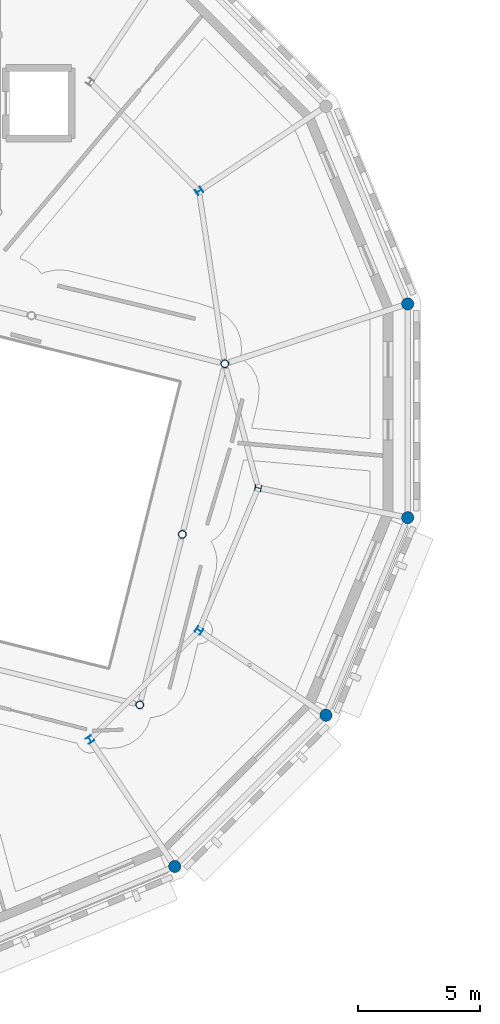
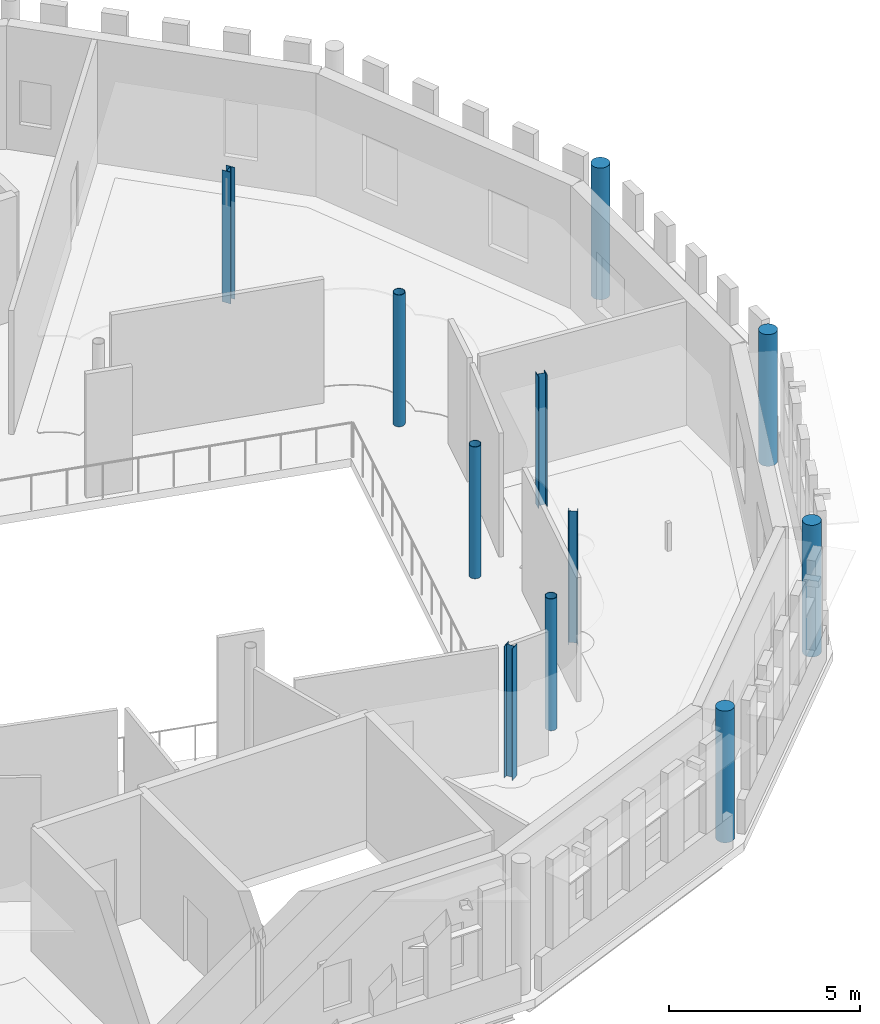
# One storey, part 12 of 68: 11 columns.
"""IFC4 building model written with IfcOpenShell, lengths in metres."""

import ifcopenshell
import ifcopenshell.guid

model = None  # the IFC model being written
_history = None  # IfcOwnerHistory: only IFC2X3 demands one
_inside = {}  # id of a spatial element -> (the spatial element, [elements in it])
_under = {}  # id of a project, library or spatial element -> (it, [spatial elements below it])
_declared = {}  # id of a project -> (the project, [libraries it declares])
_typed = {}  # id of a type object -> (the type object, [elements of that type])
_made_of = {}  # id of a material, layer set ... -> (it, [elements and type objects made of it])


def new_model(schema):
    """Start an empty IFC model of exactly this schema.

    Asked for "IFC4X3", IfcOpenShell would pick the latest addendum, in which some entities
    have other attributes; the version numbers below select the first issue.
    IFC2X3 requires an IfcOwnerHistory on every rooted entity: one is made here for all.
    """
    global model, _history
    if schema == "IFC4X3":
        model = ifcopenshell.file(schema_version=(4, 3, 0, 0))
    else:
        model = ifcopenshell.file(schema=schema)
    _inside.clear()
    _under.clear()
    _declared.clear()
    _typed.clear()
    _made_of.clear()
    _history = None
    if model.schema == "IFC2X3":
        org = make("IfcOrganization", Name="unknown")
        user = make(
            "IfcPersonAndOrganization",
            ThePerson=make("IfcPerson", FamilyName="unknown"),
            TheOrganization=org,
        )
        app = make(
            "IfcApplication",
            ApplicationDeveloper=org,
            Version="unknown",
            ApplicationFullName="unknown",
            ApplicationIdentifier="unknown",
        )
        _history = make(
            "IfcOwnerHistory",
            OwningUser=user,
            OwningApplication=app,
            ChangeAction="ADDED",
            CreationDate=0,
        )
    return model


def make(cls, **values):
    """One entity of the class cls with the attributes given. An attribute that is None is left unset."""
    return model.create_entity(
        cls, **{name: value for name, value in values.items() if value is not None}
    )


def rooted(cls, **values):
    """An entity with a GlobalId (a new one), such as an element, a storey or a relation."""
    return make(cls, GlobalId=ifcopenshell.guid.new(), OwnerHistory=_history, **values)


def si_unit(unit_type, name, prefix=None):
    """IfcSIUnit, for example si_unit("LENGTHUNIT", "METRE", prefix="MILLI")."""
    return make("IfcSIUnit", UnitType=unit_type, Prefix=prefix, Name=name)


def assignment(units):
    """IfcUnitAssignment: the units of a project."""
    return None if units is None else make("IfcUnitAssignment", Units=units)


def point(xyz):
    """IfcCartesianPoint."""
    return None if xyz is None else make("IfcCartesianPoint", Coordinates=xyz)


def direction(xyz):
    """IfcDirection."""
    return None if xyz is None else make("IfcDirection", DirectionRatios=xyz)


def frame(location, z_axis=None, x_axis=None):
    """IfcAxis2Placement3D, a coordinate frame: its origin and axes. An axis left out is left unset."""
    return make(
        "IfcAxis2Placement3D",
        Location=point(location),
        Axis=direction(z_axis),
        RefDirection=direction(x_axis),
    )


def frame_2d(location, x_axis=None):
    """IfcAxis2Placement2D, a coordinate frame in the plane: its origin and x axis."""
    return make(
        "IfcAxis2Placement2D", Location=point(location), RefDirection=direction(x_axis)
    )


def origin():
    """The frame at (0, 0, 0) with its axes left unset."""
    return frame((0.0, 0.0, 0.0))


def origin_2d():
    """The frame at (0, 0) in the plane with its x axis left unset."""
    return frame_2d((0.0, 0.0))


def place(relative_to, where):
    """IfcLocalPlacement: puts the frame where relative to a parent placement (None: the world)."""
    return make(
        "IfcLocalPlacement", PlacementRelTo=relative_to, RelativePlacement=where
    )


def context(
    kind, dimensions, precision=None, world=None, true_north=None, identifier=None
):
    """IfcGeometricRepresentationContext, for example the 3D "Model" context."""
    return make(
        "IfcGeometricRepresentationContext",
        ContextIdentifier=identifier,
        ContextType=kind,
        CoordinateSpaceDimension=dimensions,
        Precision=precision,
        WorldCoordinateSystem=world,
        TrueNorth=true_north,
    )


def subcontext(parent, identifier, kind, view, scale=None):
    """IfcGeometricRepresentationSubContext, for example "Body" below "Model"."""
    return make(
        "IfcGeometricRepresentationSubContext",
        ContextIdentifier=identifier,
        ContextType=kind,
        ParentContext=parent,
        TargetScale=scale,
        TargetView=view,
    )


def project(units=None, contexts=None):
    """IfcProject with its units and contexts."""
    return rooted(
        "IfcProject",
        Name="project",
        RepresentationContexts=contexts,
        UnitsInContext=assignment(units),
    )


def spatial(cls, under=None, at=None, **own):
    """A site, building, storey or space (cls), placed at a placement, below another one or the project."""
    s = rooted(cls, ObjectPlacement=at, **own)
    if under is not None:
        _under.setdefault(under.id(), (under, []))[1].append(s)
    return s


def profile(cls, at=None, kind="AREA", **sizes):
    """A parametric profile (cls). Its sizes go by their IFC names, for example OverallWidth=200.0."""
    return make(cls, ProfileType=kind, Position=at, **sizes)


def circle(**sizes):
    """IfcCircleProfileDef."""
    return profile("IfcCircleProfileDef", **sizes)


def hollow_circle(**sizes):
    """IfcCircleHollowProfileDef."""
    return profile("IfcCircleHollowProfileDef", **sizes)


def i_section(**sizes):
    """IfcIShapeProfileDef."""
    return profile("IfcIShapeProfileDef", **sizes)


def extrude(swept, where, along, depth):
    """IfcExtrudedAreaSolid: the profile swept, set in the frame where, extruded along a direction by depth."""
    return make(
        "IfcExtrudedAreaSolid",
        SweptArea=swept,
        Position=where,
        ExtrudedDirection=direction(along),
        Depth=depth,
    )


def shape(context_of_items, identifier, shape_type, items):
    """IfcShapeRepresentation: the items that make up one representation, for example the "Body"."""
    return make(
        "IfcShapeRepresentation",
        ContextOfItems=context_of_items,
        RepresentationIdentifier=identifier,
        RepresentationType=shape_type,
        Items=items,
    )


def material(Name=None, Category=None):
    """IfcMaterial."""
    return make("IfcMaterial", Name=Name, Category=Category)


def material_profile(
    of_material, cross_section, Name=None, Category=None, Priority=None
):
    """IfcMaterialProfile: a cross section and its material."""
    return make(
        "IfcMaterialProfile",
        Name=Name,
        Material=of_material,
        Profile=cross_section,
        Priority=Priority,
        Category=Category,
    )


def profile_set(profiles, Name=None, composite=None):
    """IfcMaterialProfileSet."""
    return make(
        "IfcMaterialProfileSet",
        Name=Name,
        MaterialProfiles=profiles,
        CompositeProfile=composite,
    )


def made_of(thing, what):
    """Note that an element or type object is made of a material, layer set ...; save() writes the relation."""
    if what is not None:
        _made_of.setdefault(what.id(), (what, []))[1].append(thing)
    return thing


def type_object(cls, material=None, **own):
    """A type object (cls), such as IfcWallType, which elements share."""
    return made_of(rooted(cls, **own), material)


def element(
    cls,
    number,
    at=None,
    inside=None,
    cuts=None,
    type_object=None,
    material=None,
    context=None,
    identifier="Body",
    shape_type=None,
    held_by="IfcProductDefinitionShape",
    body=None,
    shapes=None,
    **own,
):
    """One element of the class cls, such as IfcWall. Its Tag is "e" and its number.

    at: its placement. inside: the storey or other place that contains it. cuts: it is an
    opening in that element (IfcRelVoidsElement). A single representation is given by context,
    identifier, shape_type and body (its items); several are given by shapes. held_by: the class
    of the entity that holds the representations. save() writes the other relations.
    """
    e = rooted(cls, Tag="e%d" % number, ObjectPlacement=at, **own)
    if body is not None:
        shapes = [shape(context, identifier, shape_type, body)]
    if shapes is not None:
        e.Representation = make(held_by, Representations=shapes)
    if inside is not None:
        _inside.setdefault(inside.id(), (inside, []))[1].append(e)
    if cuts is not None:
        rooted(
            "IfcRelVoidsElement", RelatingBuildingElement=cuts, RelatedOpeningElement=e
        )
    if type_object is not None:
        _typed.setdefault(type_object.id(), (type_object, []))[1].append(e)
    return made_of(e, material)


def aggregate(whole, parts):
    """IfcRelAggregates: a whole, such as a stair, and the parts it consists of."""
    return rooted("IfcRelAggregates", RelatingObject=whole, RelatedObjects=parts)


def save(model, path):
    """Write the relations noted so far, then the file.

    IfcRelAggregates (storeys below a building ...), IfcRelContainedInSpatialStructure (elements
    in a storey), IfcRelDefinesByType, IfcRelAssociatesMaterial and IfcRelDeclares: one each for
    every whole, place, type object, material and project.
    """
    for whole, parts in _under.values():
        aggregate(whole, parts)
    for where, things in _inside.values():
        rooted(
            "IfcRelContainedInSpatialStructure",
            RelatedElements=things,
            RelatingStructure=where,
        )
    for kind, things in _typed.values():
        rooted("IfcRelDefinesByType", RelatedObjects=things, RelatingType=kind)
    for what, things in _made_of.values():
        rooted("IfcRelAssociatesMaterial", RelatedObjects=things, RelatingMaterial=what)
    for by, libraries in _declared.values():
        rooted("IfcRelDeclares", RelatingContext=by, RelatedDefinitions=libraries)
    model.write(path)


model = new_model("IFC4")

# Units and contexts
model_context = context("Model", 3, precision=1e-05, world=origin(), true_north=direction((0.0, 1.0)))
body_context = subcontext(model_context, "Body", "Model", "MODEL_VIEW")
ifc_project = project(units=[si_unit("LENGTHUNIT", "METRE"), si_unit("AREAUNIT", "SQUARE_METRE"), si_unit("VOLUMEUNIT", "CUBIC_METRE"), si_unit("PLANEANGLEUNIT", "RADIAN"), si_unit("MASSUNIT", "GRAM", prefix="KILO")], contexts=[model_context])

# Site, building, storey
site_placement = place(None, origin())
site = spatial("IfcSite", under=ifc_project, at=site_placement, CompositionType="ELEMENT")
building_placement = place(site_placement, origin())
building = spatial("IfcBuilding", under=site, at=building_placement, Name="Wrenclough Park School", CompositionType="ELEMENT")
storey_placement = place(building_placement, frame((0.0, 0.0, 12.60009765625)))
storey = spatial("IfcBuildingStorey", under=building, at=storey_placement, Name="L03", CompositionType="ELEMENT", Elevation=12.60009765625)

# Columns
ifc_material_1 = material(Name="Structural steel S355", Category="steel")
ifc_material_profile_1 = material_profile(ifc_material_1, hollow_circle(Radius=0.161865234375, WallThickness=0.01611328125, at=origin_2d()), Name="CHS 323.9x16.0")
ifc_profile_set_1 = profile_set([ifc_material_profile_1], Name="Structural steel S355")
column_type_1 = type_object("IfcColumnType", Name="STR-COL-CHS324", PredefinedType="COLUMN", material=ifc_profile_set_1)
for number, where, z_axis, x_axis, name in (
    (1, (166.544189453125, 14.4501953125, 0.0), (0.0, 0.0, 1.0), (0.970295726276, -0.2419218956, 0.0), "D1 L03 column D1HR-3-0"),
    (2, (168.2861328125, 21.4365234375, 0.0), (0.0, 0.0, 1.0), (0.970295726276, -0.2419218956, 0.0), "D1 L03 column D1HR-3-1"),
    (3, (170.028076171875, 28.422607421875, 0.0), (0.0, 0.0, 1.0), (0.970295726276, -0.2419218956, 0.0), "D1 L03 column D1HR-3-2"),
):
    element("IfcColumn", number, at=place(storey_placement, frame(where, z_axis=z_axis, x_axis=x_axis)), inside=storey, type_object=column_type_1, Name=name, PredefinedType="COLUMN", context=body_context, shape_type="SweptSolid", body=[
        extrude(hollow_circle(Radius=0.161865234375, WallThickness=0.01611328125, at=origin_2d()), origin(), (0.0, 0.0, 1.0), 4.199951171875),
    ])
ifc_material_2 = material(Name="Concrete C40/50", Category="concrete")
ifc_material_profile_2 = material_profile(ifc_material_2, circle(Radius=0.25, at=origin_2d()), Name="RC COL D500")
ifc_profile_set_2 = profile_set([ifc_material_profile_2], Name="Concrete C40/50")
column_type_2 = type_object("IfcColumnType", Name="STR-COL-RCD500", PredefinedType="COLUMN", material=ifc_profile_set_2)
for number, where, z_axis, x_axis, name in (
    (4, (177.5185546875, 30.8798828125, 0.0), (0.0, 0.0, 1.0), (-0.195090322016, 0.980785280403, 0.0), "D1 L03 column D1-OUT-01"),
    (5, (167.97265625, 7.83349609375, 0.0), (0.0, 0.0, 1.0), (0.831469612303, 0.55557023302, 0.0), "D1 L03 column D1-OUT-14"),
    (6, (174.16650390625, 14.02734375, 0.0), (0.0, 0.0, 1.0), (0.55557023302, 0.831469612303, 0.0), "D1 L03 column D1-OUT-15"),
    (7, (177.5185546875, 22.1201171875, 0.0), (0.0, 0.0, 1.0), (0.195090322016, 0.980785280403, 0.0), "D1 L03 column D1-OUT-16"),
):
    element("IfcColumn", number, at=place(storey_placement, frame(where, z_axis=z_axis, x_axis=x_axis)), inside=storey, type_object=column_type_2, Name=name, PredefinedType="COLUMN", context=body_context, shape_type="SweptSolid", body=[
        extrude(circle(Radius=0.25, at=origin_2d()), origin(), (0.0, 0.0, 1.0), 4.199951171875),
    ])
ifc_material_profile_3 = material_profile(ifc_material_1, i_section(OverallWidth=0.254638671875, OverallDepth=0.254150390625, WebThickness=0.008544921875, FlangeThickness=0.01416015625, FilletRadius=0.0126953125, at=origin_2d()), Name="UKC 254x254x73")
ifc_profile_set_3 = profile_set([ifc_material_profile_3], Name="Structural steel S355")
column_type_3 = type_object("IfcColumnType", Name="STR-COL-UKC254A", PredefinedType="COLUMN", material=ifc_profile_set_3)
for number, where, z_axis, x_axis, name in (
    (8, (168.9697265625, 35.500244140625, 0.0), (0.0, 0.0, 1.0), (-0.55557023302, 0.831469612303, 0.0), "D1 L03 column D1-MID-02"),
    (9, (164.500244140625, 13.0302734375, 0.0), (0.0, 0.0, 1.0), (0.831469612303, 0.55557023302, 0.0), "D1 L03 column D1-MID-14"),
    (10, (168.9697265625, 17.499755859375, 0.0), (0.0, 0.0, 1.0), (0.55557023302, 0.831469612303, 0.0), "D1 L03 column D1-MID-15"),
    (11, (171.388671875, 23.339599609375, 0.0), (0.0, 0.0, 1.0), (0.195090322016, 0.980785280403, 0.0), "D1 L03 column D1-MID-16"),
):
    element("IfcColumn", number, at=place(storey_placement, frame(where, z_axis=z_axis, x_axis=x_axis)), inside=storey, type_object=column_type_3, Name=name, PredefinedType="COLUMN", context=body_context, shape_type="SweptSolid", body=[
        extrude(i_section(OverallWidth=0.254638671875, OverallDepth=0.254150390625, WebThickness=0.008544921875, FlangeThickness=0.01416015625, FilletRadius=0.0126953125, at=origin_2d()), origin(), (0.0, 0.0, 1.0), 4.199951171875),
    ])

save(model, "model.ifc")
